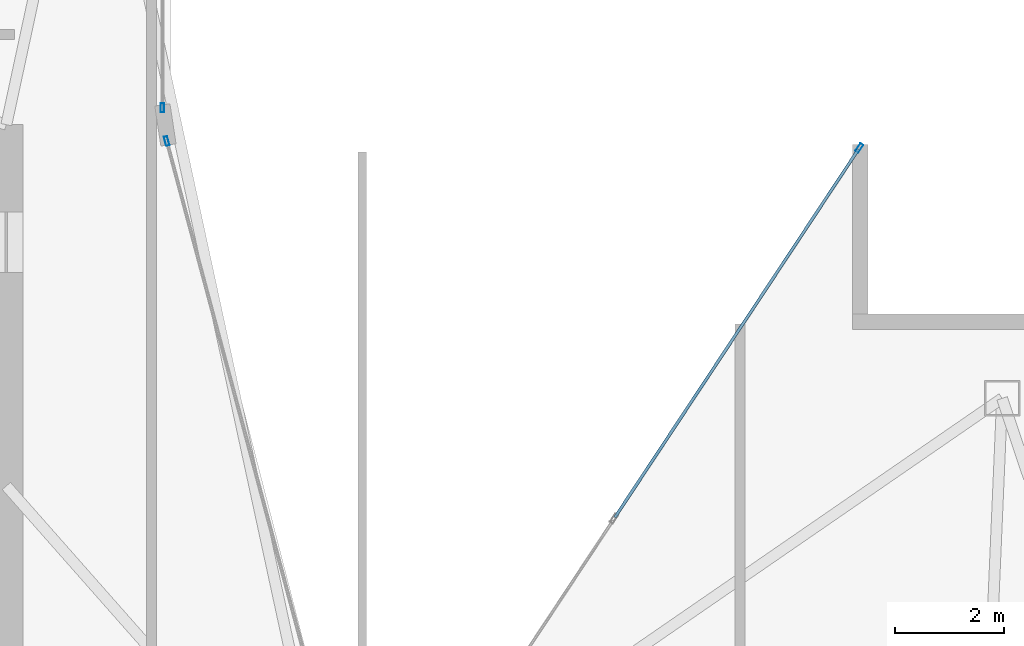
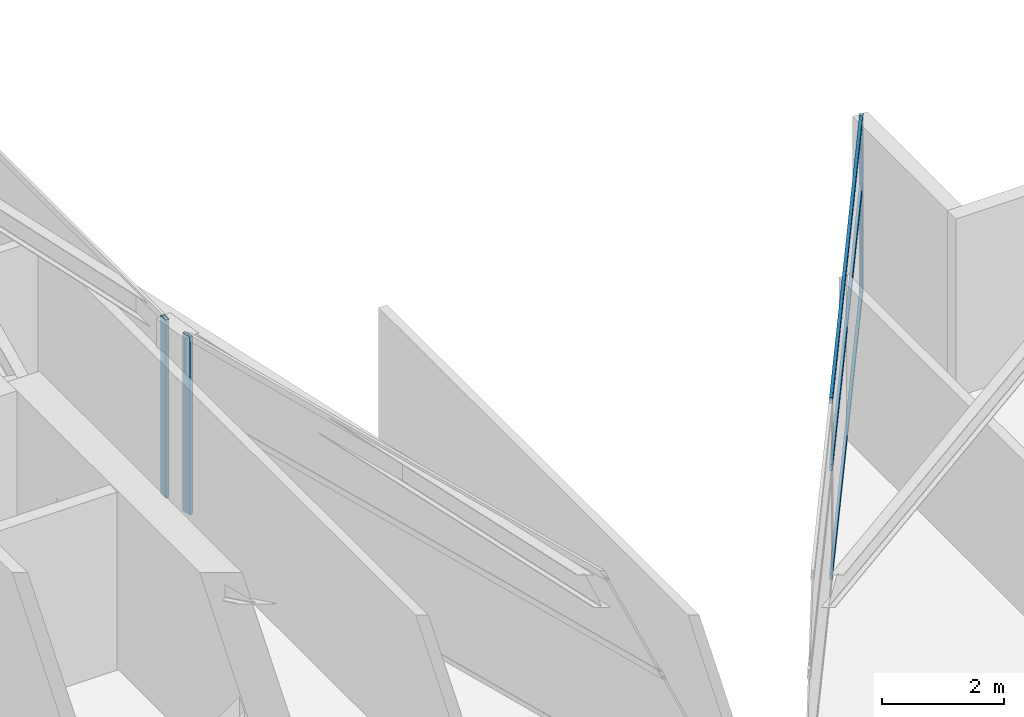
# One storey, part 19 of 28: 6 members, 3 elements without a shape of their own.
"""IFC4 building model written with IfcOpenShell, lengths in metres."""

from ifc_helpers import new_model, si_unit, direction, frame, origin, origin_2d, place, context, subcontext, project, spatial, hollow_rectangle, extrude, material, layer, layer_set, material_profile, profile_set, type_object, element, aggregate, save


model = new_model("IFC4")

# Units and contexts
model_context = context("Model", 3, precision=1e-05, world=origin(), true_north=direction((0.0, 1.0)))
body_context = subcontext(model_context, "Body", "Model", "MODEL_VIEW")
ifc_project = project(units=[si_unit("LENGTHUNIT", "METRE"), si_unit("AREAUNIT", "SQUARE_METRE"), si_unit("VOLUMEUNIT", "CUBIC_METRE"), si_unit("PLANEANGLEUNIT", "RADIAN"), si_unit("MASSUNIT", "GRAM", prefix="KILO")], contexts=[model_context])

# Site, building, storey
site_placement = place(None, origin())
site = spatial("IfcSite", under=ifc_project, at=site_placement, CompositionType="ELEMENT")
building_placement = place(site_placement, origin())
building = spatial("IfcBuilding", under=site, at=building_placement, Name="Calvorn Quay Hotel", CompositionType="ELEMENT")
storey_placement = place(building_placement, frame((0.0, 0.0, 271.10009765625)))
storey = spatial("IfcBuildingStorey", under=building, at=storey_placement, Name="L67", CompositionType="ELEMENT", Elevation=271.10009765625)

# Curtain wall, member
ifc_material_1 = material(Name="Champagne Bronze Anodised Aluminium and Low-E Glass", Category="aluminium")
ifc_layer = layer(ifc_material_1, 0.219970703125)
ifc_layer_set = layer_set([ifc_layer], Name="CW-SYS-Z4")
curtain_wall_type = type_object("IfcCurtainWallType", Name="CW-SYS-Z4", PredefinedType="NOTDEFINED", material=ifc_layer_set)
curtain_wall_1_placement = place(storey_placement, origin())
curtain_wall_1 = element("IfcCurtainWall", 1, at=curtain_wall_1_placement, inside=storey, type_object=curtain_wall_type, Name="Inner Court Curtain Wall L67-NE1", PredefinedType="NOTDEFINED")
ifc_material_2 = material(Name="Champagne Bronze Anodised Aluminium 6063-T6", Category="aluminium")
ifc_material_profile_1 = material_profile(ifc_material_2, hollow_rectangle(XDim=0.06494140625, YDim=0.169921875, WallThickness=0.00341796875, at=origin_2d()), Name="ALU-M170x65x3.5")
ifc_profile_set_1 = profile_set([ifc_material_profile_1], Name="Champagne Bronze Anodised Aluminium 6063-T6")
member_type_1 = type_object("IfcMemberType", Name="CW-SYS-Z4-MUL", PredefinedType="MULLION", material=ifc_profile_set_1)
member_1_placement = place(storey_placement, frame((30.58349609375, 37.97509765625, 0.0), z_axis=(0.0, 0.0, 1.0), x_axis=(0.833932205724, -0.551866900852, 0.0)))
member_1 = element("IfcMember", 2, at=member_1_placement, type_object=member_type_1, Name="CW-L67-NE1 mullion 1", PredefinedType="MULLION", context=body_context, shape_type="SweptSolid", body=[
    extrude(hollow_rectangle(XDim=0.06494140625, YDim=0.169921875, WallThickness=0.00341796875, at=origin_2d()), origin(), (0.0, 0.0, 1.0), 3.559814453125),
])

curtain_wall_2_placement = place(storey_placement, origin())
curtain_wall_2 = element("IfcCurtainWall", 3, at=curtain_wall_2_placement, inside=storey, type_object=curtain_wall_type, Name="Inner Court Curtain Wall L67-IC1", PredefinedType="NOTDEFINED")
member_2_placement = place(storey_placement, frame((17.9296875, 38.10107421875, 0.0), z_axis=(0.0, 0.0, 1.0), x_axis=(-0.96593652056, -0.25877913024, 0.0)))
member_2 = element("IfcMember", 4, at=member_2_placement, type_object=member_type_1, Name="CW-L67-IC1 mullion 2", PredefinedType="MULLION", context=body_context, shape_type="SweptSolid", body=[
    extrude(hollow_rectangle(XDim=0.06494140625, YDim=0.169921875, WallThickness=0.00341796875, at=origin_2d()), origin(), (0.0, 0.0, 1.0), 3.559814453125),
])
aggregate(curtain_wall_2, [member_2])

curtain_wall_3_placement = place(storey_placement, origin())
curtain_wall_3 = element("IfcCurtainWall", 5, at=curtain_wall_3_placement, inside=storey, type_object=curtain_wall_type, Name="Inner Court Curtain Wall L67-IC2", PredefinedType="NOTDEFINED")
member_3_placement = place(storey_placement, frame((17.85009765625, 38.7099609375, 0.0), z_axis=(0.0, 0.0, 1.0), x_axis=(-1.0, 0.0, 0.0)))
member_3 = element("IfcMember", 6, at=member_3_placement, type_object=member_type_1, Name="CW-L67-IC2 mullion 1", PredefinedType="MULLION", context=body_context, shape_type="SweptSolid", body=[
    extrude(hollow_rectangle(XDim=0.06494140625, YDim=0.169921875, WallThickness=0.00341796875, at=origin_2d()), origin(), (0.0, 0.0, 1.0), 3.559814453125),
])
aggregate(curtain_wall_3, [member_3])

# Member
ifc_material_3 = material(Name="Champagne Bronze Anodised Aluminium 6063-T6", Category="aluminium")
ifc_material_profile_2 = material_profile(ifc_material_3, hollow_rectangle(XDim=0.054931640625, YDim=0.1298828125, WallThickness=0.003173828125, at=origin_2d()), Name="ALU-T130x55x3.2")
ifc_profile_set_2 = profile_set([ifc_material_profile_2], Name="Champagne Bronze Anodised Aluminium 6063-T6")
member_type_2 = type_object("IfcMemberType", Name="CW-SYS-Z4-TRN", PredefinedType="USERDEFINED", material=ifc_profile_set_2)
member_4_placement = place(storey_placement, frame((30.56689453125, 37.949951171875, 0.02978515625), z_axis=(-0.551881453123, -0.833922575362, 0.0), x_axis=(0.833922575362, -0.551881453123, 0.0)))
member_4 = element("IfcMember", 7, at=member_4_placement, type_object=member_type_2, Name="CW-L67-NE1 transom 1.1", ObjectType="TRANSOM", PredefinedType="USERDEFINED", context=body_context, shape_type="SweptSolid", body=[
    extrude(hollow_rectangle(XDim=0.054931640625, YDim=0.1298828125, WallThickness=0.003173828125, at=origin_2d()), origin(), (0.0, 0.0, 1.0), 8.064208984375),
])

member_5_placement = place(storey_placement, frame((30.56689453125, 37.949951171875, 2.199951171875), z_axis=(-0.551881453123, -0.833922575362, 0.0), x_axis=(0.833922575362, -0.551881453123, 0.0)))
member_5 = element("IfcMember", 8, at=member_5_placement, type_object=member_type_2, Name="CW-L67-NE1 transom 1.2", ObjectType="TRANSOM", PredefinedType="USERDEFINED", context=body_context, shape_type="SweptSolid", body=[
    extrude(hollow_rectangle(XDim=0.054931640625, YDim=0.1298828125, WallThickness=0.003173828125, at=origin_2d()), origin(), (0.0, 0.0, 1.0), 8.064208984375),
])

member_6_placement = place(storey_placement, frame((30.56689453125, 37.949951171875, 3.52978515625), z_axis=(-0.551881453123, -0.833922575362, 0.0), x_axis=(0.833922575362, -0.551881453123, 0.0)))
member_6 = element("IfcMember", 9, at=member_6_placement, type_object=member_type_2, Name="CW-L67-NE1 transom 1.3", ObjectType="TRANSOM", PredefinedType="USERDEFINED", context=body_context, shape_type="SweptSolid", body=[
    extrude(hollow_rectangle(XDim=0.054931640625, YDim=0.1298828125, WallThickness=0.003173828125, at=origin_2d()), origin(), (0.0, 0.0, 1.0), 8.064208984375),
])

aggregate(curtain_wall_1, [member_1, member_4, member_5, member_6])

save(model, "model.ifc")
